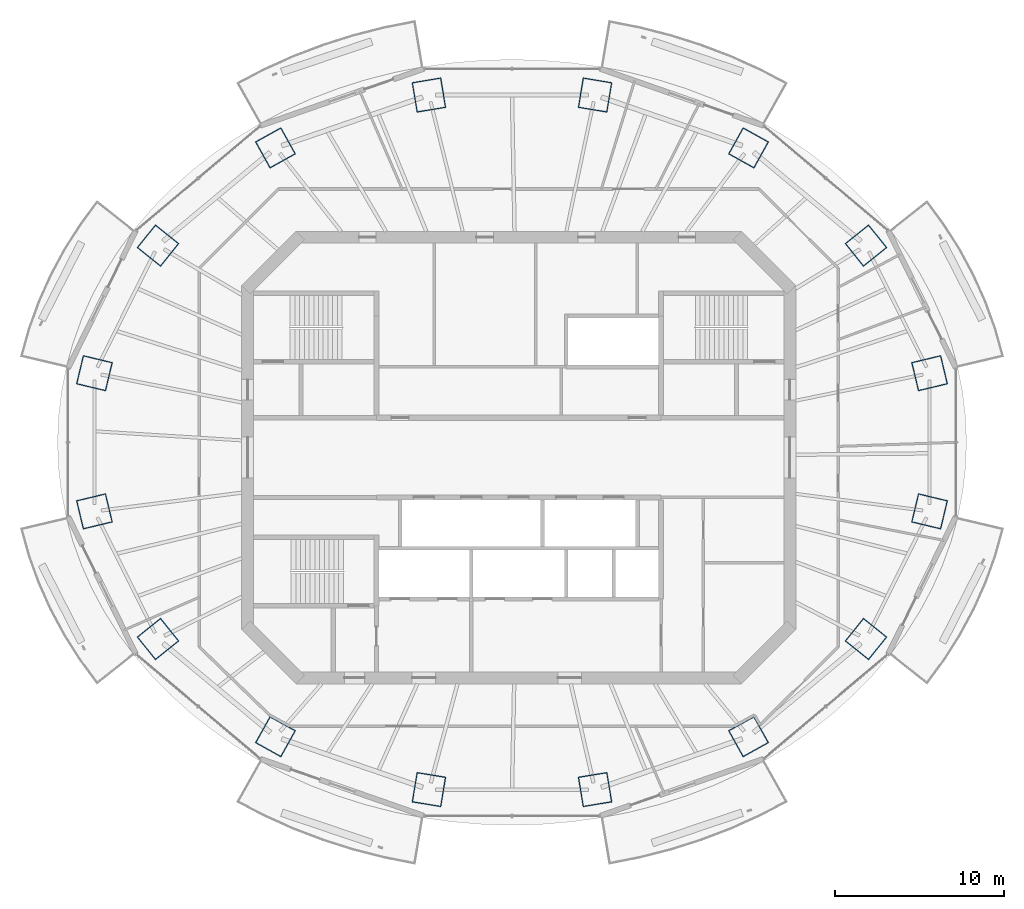
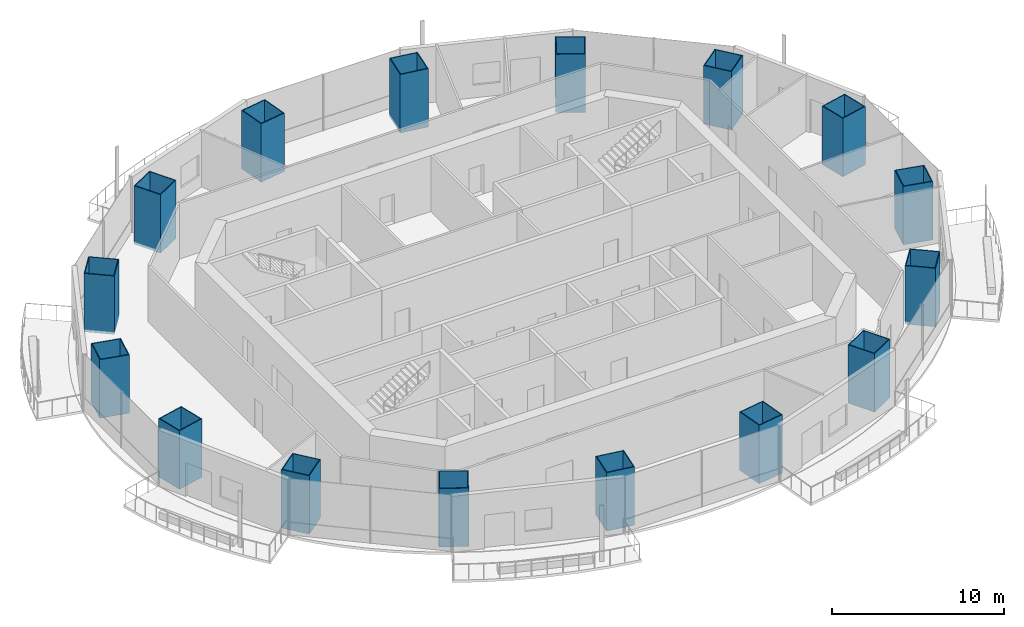
# One storey, part 1 of 16: 16 columns.
"""IFC4 building model written with IfcOpenShell, lengths in metres."""

from ifc_helpers import new_model, si_unit, direction, frame, origin, origin_2d, place, context, subcontext, project, spatial, rectangle, hollow_rectangle, extrude, material, material_profile, profile_set, type_object, element, save


model = new_model("IFC4")

# Units and contexts
model_context = context("Model", 3, precision=1e-05, world=origin(), true_north=direction((0.0, 1.0)))
body_context = subcontext(model_context, "Body", "Model", "MODEL_VIEW")
ifc_project = project(units=[si_unit("LENGTHUNIT", "METRE"), si_unit("AREAUNIT", "SQUARE_METRE"), si_unit("VOLUMEUNIT", "CUBIC_METRE"), si_unit("PLANEANGLEUNIT", "RADIAN"), si_unit("MASSUNIT", "GRAM", prefix="KILO")], contexts=[model_context])

# Site, building, storey
site_placement = place(None, origin())
site = spatial("IfcSite", under=ifc_project, at=site_placement, CompositionType="ELEMENT")
building_placement = place(site_placement, origin())
building = spatial("IfcBuilding", under=site, at=building_placement, Name="Marenthal Gate Tower", CompositionType="ELEMENT")
storey_placement = place(building_placement, frame((0.0, 0.0, 350.89990234375)))
storey = spatial("IfcBuildingStorey", under=building, at=storey_placement, Name="L79", CompositionType="ELEMENT", Elevation=350.89990234375)

# Columns
ifc_material_1 = material(Name="Steel S460", Category="steel")
ifc_material_profile_1 = material_profile(ifc_material_1, hollow_rectangle(XDim=1.75, YDim=1.800048828125, WallThickness=0.054931640625, at=origin_2d()), Name="CFT BOX 1800X1750X55")
ifc_material_2 = material(Name="Concrete 70 MPa", Category="concrete")
ifc_material_profile_2 = material_profile(ifc_material_2, rectangle(XDim=1.639892578125, YDim=1.68994140625, at=origin_2d()), Name="CFT BOX 1800X1750X55 INFILL")
ifc_profile_set = profile_set([ifc_material_profile_1, ifc_material_profile_2], Name="Steel S460 shell, Concrete 70 MPa infill")
column_type = type_object("IfcColumnType", Name="CFT BOX 1800X1750X55", PredefinedType="COLUMN", material=ifc_profile_set)
for number, where, z_axis, x_axis, name in (
    (1, (24.244140625, 4.9765625, -0.179931640625), (0.0, 0.0, 1.0), (0.232625578969, -0.97256636792, 0.0), "COL-L79-01"),
    (2, (20.4921875, 12.50927734375, -0.179931640625), (0.0, 0.0, 1.0), (0.626343978095, -0.779546804947, 0.0), "COL-L79-02"),
    (3, (13.559814453125, 18.2744140625, -0.179931640625), (0.0, 0.0, 1.0), (0.87411577494, -0.485717625787, 0.0), "COL-L79-03"),
    (4, (4.501953125, 21.39453125, -0.179931640625), (0.0, 0.0, 1.0), (0.986592962803, -0.163200262709, 0.0), "COL-L79-04"),
    (5, (-5.302001953125, 21.39453125, -0.179931640625), (0.0, 0.0, 1.0), (0.986592962803, 0.163200262709, 0.0), "COL-L79-05"),
    (6, (-14.35986328125, 18.2744140625, -0.179931640625), (0.0, 0.0, 1.0), (0.87411577494, 0.485717625787, 0.0), "COL-L79-06"),
    (7, (-21.292236328125, 12.50927734375, -0.179931640625), (0.0, 0.0, 1.0), (0.626343978095, 0.779546804947, 0.0), "COL-L79-07"),
    (8, (-25.044189453125, 4.9765625, -0.179931640625), (0.0, 0.0, 1.0), (0.232625578969, 0.97256636792, 0.0), "COL-L79-08"),
    (9, (-25.044189453125, -3.176513671875, -0.179931640625), (0.0, 0.0, 1.0), (-0.232625578969, 0.97256636792, 0.0), "COL-L79-09"),
    (10, (-21.292236328125, -10.709228515625, -0.179931640625), (0.0, 0.0, 1.0), (-0.626343978095, 0.779546804947, 0.0), "COL-L79-10"),
    (11, (-14.35986328125, -16.474365234375, -0.179931640625), (0.0, 0.0, 1.0), (-0.87411577494, 0.485717625787, 0.0), "COL-L79-11"),
    (12, (-5.302001953125, -19.594482421875, -0.179931640625), (0.0, 0.0, 1.0), (-0.986592962803, 0.163200262709, 0.0), "COL-L79-12"),
    (13, (4.501953125, -19.594482421875, -0.179931640625), (0.0, 0.0, 1.0), (-0.986592962803, -0.163200262709, 0.0), "COL-L79-13"),
    (14, (13.559814453125, -16.474365234375, -0.179931640625), (0.0, 0.0, 1.0), (-0.87411577494, -0.485717625787, 0.0), "COL-L79-14"),
    (15, (20.4921875, -10.709228515625, -0.179931640625), (0.0, 0.0, 1.0), (-0.626343978095, -0.779546804947, 0.0), "COL-L79-15"),
    (16, (24.244140625, -3.176513671875, -0.179931640625), (0.0, 0.0, 1.0), (-0.232625578969, -0.97256636792, 0.0), "COL-L79-16"),
):
    element("IfcColumn", number, at=place(storey_placement, frame(where, z_axis=z_axis, x_axis=x_axis)), inside=storey, type_object=column_type, Name=name, PredefinedType="COLUMN", context=body_context, shape_type="SweptSolid", body=[
        extrude(hollow_rectangle(XDim=1.75, YDim=1.800048828125, WallThickness=0.054931640625, at=origin_2d()), origin(), (0.0, 0.0, 1.0), 4.150146484375),
    ])

save(model, "model.ifc")
